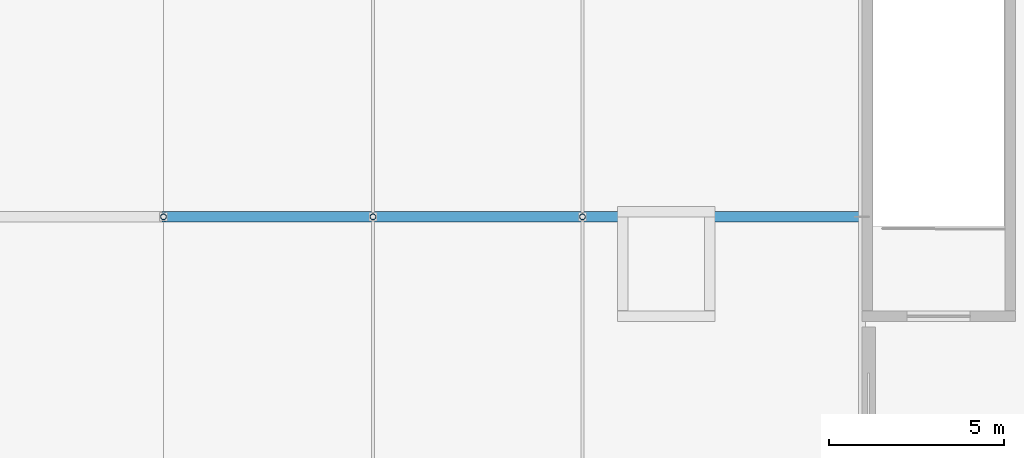
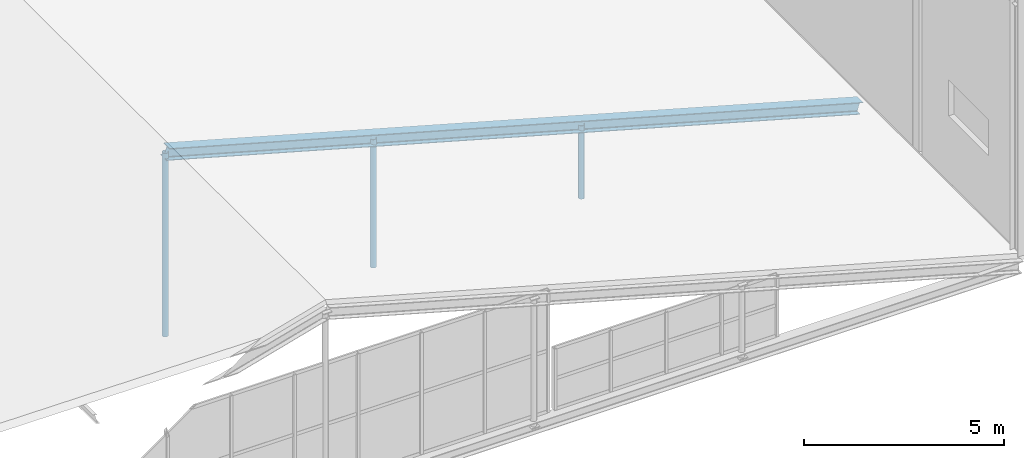
# One storey, part 13 of 49: 4 members.
"""IFC4 building model written with IfcOpenShell, lengths in metres."""

from ifc_helpers import new_model, si_unit, direction, frame, origin, origin_2d, place, context, subcontext, project, spatial, hollow_circle, i_section, extrude, material, material_profile, profile_set, type_object, element, save


model = new_model("IFC4")

# Units and contexts
model_context = context("Model", 3, precision=1e-05, world=origin(), true_north=direction((0.0, 1.0)))
body_context = subcontext(model_context, "Body", "Model", "MODEL_VIEW")
ifc_project = project(units=[si_unit("LENGTHUNIT", "METRE"), si_unit("AREAUNIT", "SQUARE_METRE"), si_unit("VOLUMEUNIT", "CUBIC_METRE"), si_unit("PLANEANGLEUNIT", "RADIAN"), si_unit("MASSUNIT", "GRAM", prefix="KILO")], contexts=[model_context])

# Site, building, storey
site_placement = place(None, origin())
site = spatial("IfcSite", under=ifc_project, at=site_placement, CompositionType="ELEMENT")
building_placement = place(site_placement, origin())
building = spatial("IfcBuilding", under=site, at=building_placement, Name="Sundkrona Museum", CompositionType="ELEMENT")
storey_placement = place(building_placement, frame((0.0, 0.0, 26.0)))
storey = spatial("IfcBuildingStorey", under=building, at=storey_placement, Name="L05", CompositionType="ELEMENT", Elevation=26.0)

# Members
ifc_material = material(Name="Steel S355J2", Category="steel")
ifc_material_profile_1 = material_profile(ifc_material, hollow_circle(Radius=0.084228515625, WallThickness=0.008056640625, at=origin_2d()), Name="CHS 168.3x8.0")
ifc_profile_set_1 = profile_set([ifc_material_profile_1], Name="Steel S355J2")
member_type_1 = type_object("IfcMemberType", Name="ST-CHS168", PredefinedType="STRUT", material=ifc_profile_set_1)
member_1_placement = place(storey_placement, frame((100.0, 8.0, -0.39990234375), z_axis=(0.0, 0.0, 1.0), x_axis=(1.0, 0.0, 0.0)))
element("IfcMember", 1, at=member_1_placement, inside=storey, type_object=member_type_1, Name="RFS-1 Atrium Truss 2 Web Strut 100", PredefinedType="STRUT", context=body_context, shape_type="SweptSolid", body=[
    extrude(hollow_circle(Radius=0.084228515625, WallThickness=0.008056640625, at=origin_2d()), origin(), (0.0, 0.0, 1.0), 5.593994140625),
])
member_2_placement = place(storey_placement, frame((106.0, 8.0, -0.39990234375), z_axis=(0.0, 0.0, 1.0), x_axis=(1.0, 0.0, 0.0)))
element("IfcMember", 2, at=member_2_placement, inside=storey, type_object=member_type_1, Name="RFS-1 Atrium Truss 2 Web Strut 106", PredefinedType="STRUT", context=body_context, shape_type="SweptSolid", body=[
    extrude(hollow_circle(Radius=0.084228515625, WallThickness=0.008056640625, at=origin_2d()), origin(), (0.0, 0.0, 1.0), 3.915771484375),
])
member_3_placement = place(storey_placement, frame((112.0, 8.0, -0.39990234375), z_axis=(0.0, 0.0, 1.0), x_axis=(1.0, 0.0, 0.0)))
element("IfcMember", 3, at=member_3_placement, inside=storey, type_object=member_type_1, Name="RFS-1 Atrium Truss 2 Web Strut 112", PredefinedType="STRUT", context=body_context, shape_type="SweptSolid", body=[
    extrude(hollow_circle(Radius=0.084228515625, WallThickness=0.008056640625, at=origin_2d()), origin(), (0.0, 0.0, 1.0), 2.237548828125),
])
ifc_material_profile_2 = material_profile(ifc_material, i_section(OverallWidth=0.300048828125, OverallDepth=0.35009765625, WebThickness=0.010009765625, FlangeThickness=0.017578125, FilletRadius=0.027099609375, at=origin_2d()), Name="HEA 360")
ifc_profile_set_2 = profile_set([ifc_material_profile_2], Name="Steel S355J2")
member_type_2 = type_object("IfcMemberType", Name="TC-HEA360", PredefinedType="CHORD", material=ifc_profile_set_2)
member_4_placement = place(storey_placement, frame((100.0, 8.0, 5.194091796875), z_axis=(0.963039069801, 0.0, -0.269361745683), x_axis=(0.0, 1.0, 0.0)))
element("IfcMember", 4, at=member_4_placement, inside=storey, type_object=member_type_2, Name="RFS-1 Atrium Truss 2 East Rafter Chord", PredefinedType="CHORD", context=body_context, shape_type="SweptSolid", body=[
    extrude(i_section(OverallWidth=0.300048828125, OverallDepth=0.35009765625, WebThickness=0.010009765625, FlangeThickness=0.017578125, FilletRadius=0.027099609375, at=origin_2d()), origin(), (0.0, 0.0, 1.0), 20.767578125),
])

save(model, "model.ifc")
